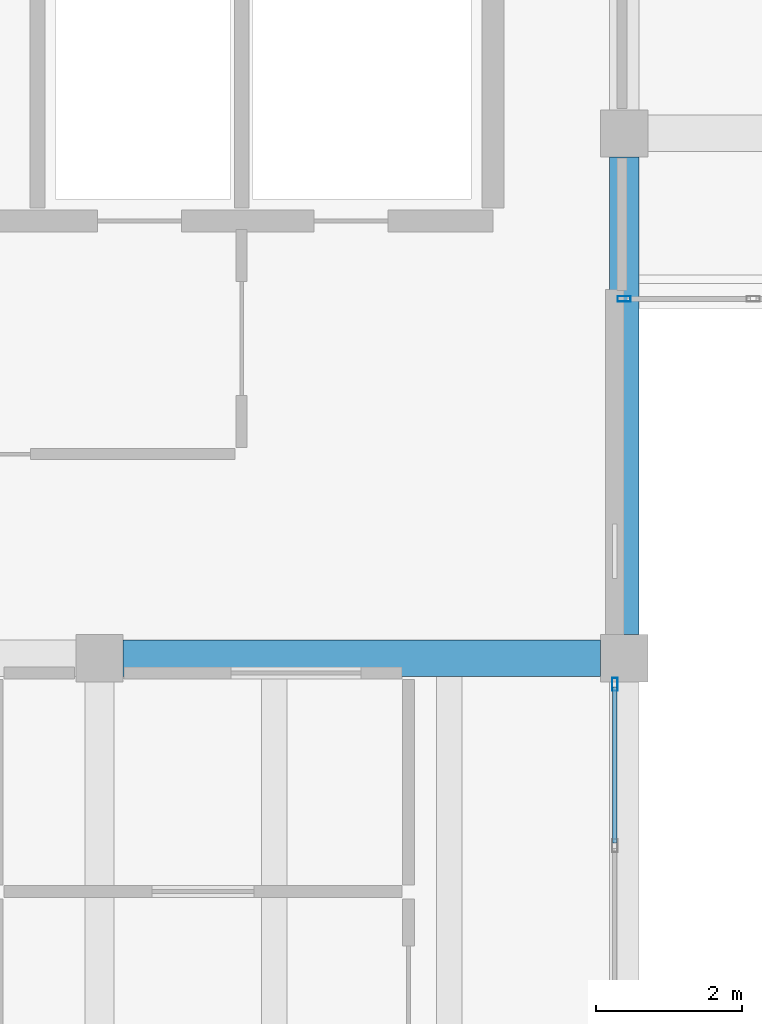
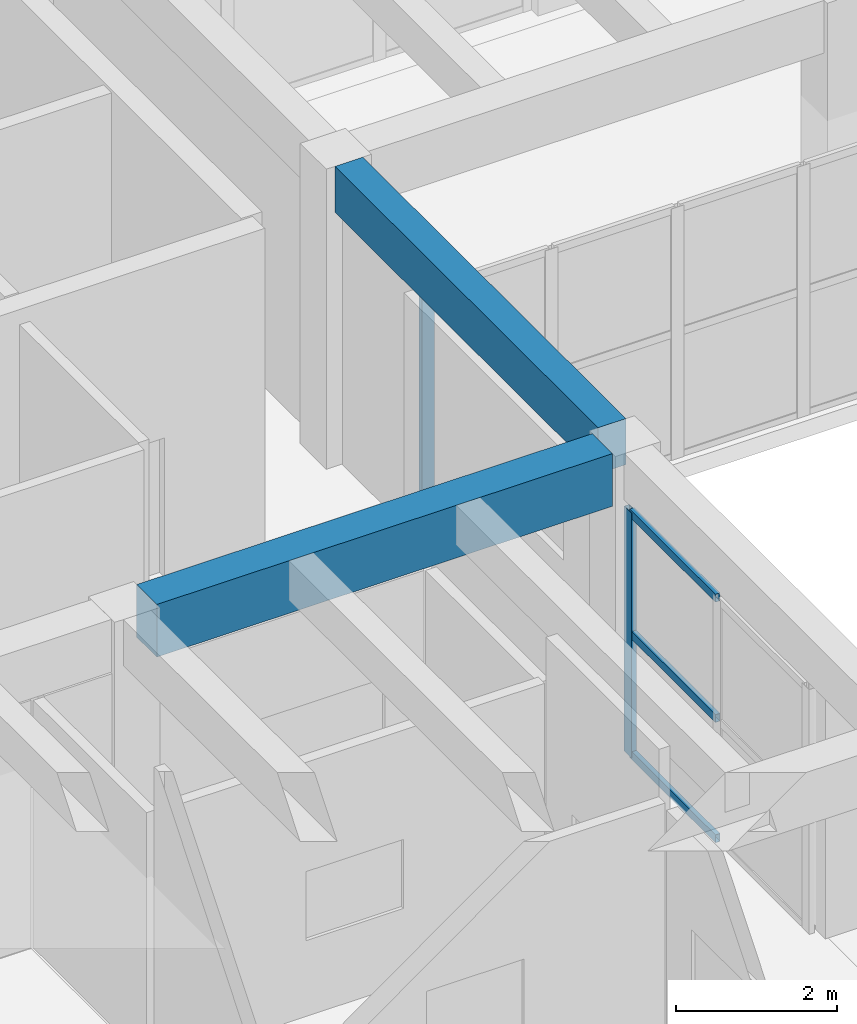
# One storey, part 73 of 155: 5 members, 2 beams, 2 elements without a shape of their own.
"""IFC4 building model written with IfcOpenShell, lengths in metres."""

from ifc_helpers import new_model, si_unit, direction, frame, origin, origin_2d, place, context, subcontext, project, spatial, rectangle, hollow_rectangle, extrude, material, material_profile, profile_set, type_object, element, aggregate, save


model = new_model("IFC4")

# Units and contexts
model_context = context("Model", 3, precision=1e-05, world=origin(), true_north=direction((0.0, 1.0)))
body_context = subcontext(model_context, "Body", "Model", "MODEL_VIEW")
ifc_project = project(units=[si_unit("LENGTHUNIT", "METRE"), si_unit("AREAUNIT", "SQUARE_METRE"), si_unit("VOLUMEUNIT", "CUBIC_METRE"), si_unit("PLANEANGLEUNIT", "RADIAN"), si_unit("MASSUNIT", "GRAM", prefix="KILO")], contexts=[model_context])

# Site, building, storey
site_placement = place(None, origin())
site = spatial("IfcSite", under=ifc_project, at=site_placement, CompositionType="ELEMENT")
building_placement = place(site_placement, origin())
building = spatial("IfcBuilding", under=site, at=building_placement, Name="Bramvelor Terrace Health Centre", CompositionType="ELEMENT")
storey_placement = place(building_placement, origin())
storey = spatial("IfcBuildingStorey", under=building, at=storey_placement, Name="L01", CompositionType="ELEMENT", Elevation=0.0)

# Beams
ifc_material_1 = material(Name="Concrete C40/50", Category="concrete")
ifc_material_profile_1 = material_profile(ifc_material_1, rectangle(XDim=0.39990234375, YDim=0.699951171875, at=origin_2d()), Name="RC 400x700")
ifc_profile_set_1 = profile_set([ifc_material_profile_1], Name="Concrete C40/50")
beam_type_1 = type_object("IfcBeamType", Name="BM-RC-G700", PredefinedType="BEAM", material=ifc_profile_set_1)
beam_1_placement = place(storey_placement, frame((14.39990234375, 101.125, 4.2099609375), z_axis=(0.0, 1.0, 0.0), x_axis=(-1.0, 0.0, 0.0)))
element("IfcBeam", 1, at=beam_1_placement, inside=storey, type_object=beam_type_1, Name="L01 Floor Girder", PredefinedType="BEAM", context=body_context, shape_type="SweptSolid", body=[
    extrude(rectangle(XDim=0.39990234375, YDim=0.699951171875, at=origin_2d()), origin(), (0.0, 0.0, 1.0), 6.550048828125),
])
ifc_material_2 = material(Name="Concrete C40/50", Category="concrete")
ifc_material_profile_2 = material_profile(ifc_material_2, rectangle(XDim=0.5, YDim=0.800048828125, at=origin_2d()), Name="RC 500x800")
ifc_profile_set_2 = profile_set([ifc_material_profile_2], Name="Concrete C40/50")
beam_type_2 = type_object("IfcBeamType", Name="BM-RC-G800", PredefinedType="BEAM", material=ifc_profile_set_2)
beam_2_placement = place(storey_placement, frame((7.52490234375, 100.800048828125, 4.159912109375), z_axis=(1.0, 0.0, 0.0), x_axis=(0.0, 1.0, 0.0)))
element("IfcBeam", 2, at=beam_2_placement, inside=storey, type_object=beam_type_2, Name="L01 Floor Girder", PredefinedType="BEAM", context=body_context, shape_type="SweptSolid", body=[
    extrude(rectangle(XDim=0.5, YDim=0.800048828125, at=origin_2d()), origin(), (0.0, 0.0, 1.0), 6.550048828125),
])

# Curtain wall, member
ifc_material_3 = material(Name="Anodized aluminium and double low-E glass", Category="aluminium")
curtain_wall_type_1 = type_object("IfcCurtainWallType", Name="CW-SYS-10", PredefinedType="NOTDEFINED", material=ifc_material_3)
curtain_wall_1_placement = place(storey_placement, origin())
curtain_wall_1 = element("IfcCurtainWall", 3, at=curtain_wall_1_placement, inside=storey, type_object=curtain_wall_type_1, Name="L01 Unitized Curtain Wall 68", PredefinedType="NOTDEFINED")
ifc_material_4 = material(Name="Anodized aluminium 6063-T6", Category="aluminium")
ifc_material_profile_3 = material_profile(ifc_material_4, hollow_rectangle(XDim=0.074951171875, YDim=0.179931640625, WallThickness=0.00341796875, at=origin_2d()), Name="ALU-MUL 75x180x3.5")
ifc_profile_set_3 = profile_set([ifc_material_profile_3], Name="Anodized aluminium 6063-T6")
member_type_1 = type_object("IfcMemberType", Name="CW-MUL-65x180", PredefinedType="MULLION", material=ifc_profile_set_3)
member_1_placement = place(storey_placement, frame((14.3974609375, 105.72998046875, 0.0), z_axis=(0.0, 0.0, 1.0), x_axis=(0.0, -1.0, 0.0)))
member_1 = element("IfcMember", 4, at=member_1_placement, type_object=member_type_1, Name="CW-10 mullion 5", PredefinedType="MULLION", context=body_context, shape_type="SweptSolid", body=[
    extrude(hollow_rectangle(XDim=0.074951171875, YDim=0.179931640625, WallThickness=0.00341796875, at=origin_2d()), origin(), (0.0, 0.0, 1.0), 3.820068359375),
])
aggregate(curtain_wall_1, [member_1])

# Curtain wall, members
ifc_material_5 = material(Name="Anodized aluminium and double low-E glass", Category="aluminium")
curtain_wall_type_2 = type_object("IfcCurtainWallType", Name="CW-SYS-11", PredefinedType="NOTDEFINED", material=ifc_material_5)
curtain_wall_2_placement = place(storey_placement, origin())
curtain_wall_2 = element("IfcCurtainWall", 5, at=curtain_wall_2_placement, inside=storey, type_object=curtain_wall_type_2, Name="L01 Unitized Curtain Wall 69", PredefinedType="NOTDEFINED")
member_2_placement = place(storey_placement, frame((14.27001953125, 100.4423828125, 0.0), z_axis=(0.0, 0.0, 1.0), x_axis=(1.0, 0.0, 0.0)))
member_2 = element("IfcMember", 6, at=member_2_placement, type_object=member_type_1, Name="CW-11 mullion 1", PredefinedType="MULLION", context=body_context, shape_type="SweptSolid", body=[
    extrude(hollow_rectangle(XDim=0.074951171875, YDim=0.179931640625, WallThickness=0.00341796875, at=origin_2d()), origin(), (0.0, 0.0, 1.0), 3.719970703125),
])
ifc_material_6 = material(Name="Anodized aluminium 6063-T6", Category="aluminium")
ifc_material_profile_4 = material_profile(ifc_material_6, hollow_rectangle(XDim=0.06494140625, YDim=0.1201171875, WallThickness=0.0029296875, at=origin_2d()), Name="ALU-TRN 65x120x3.0")
ifc_profile_set_4 = profile_set([ifc_material_profile_4], Name="Anodized aluminium 6063-T6")
member_type_2 = type_object("IfcMemberType", Name="CW-TRN-65x150", PredefinedType="USERDEFINED", material=ifc_profile_set_4)
member_3_placement = place(storey_placement, frame((14.27001953125, 100.405029296875, 0.032470703125), z_axis=(0.0, -1.0, 0.0), x_axis=(1.0, 0.0, 0.0)))
member_3 = element("IfcMember", 7, at=member_3_placement, type_object=member_type_2, Name="CW-11 transom 1.1", ObjectType="TRANSOM", PredefinedType="USERDEFINED", context=body_context, shape_type="SweptSolid", body=[
    extrude(hollow_rectangle(XDim=0.06494140625, YDim=0.1201171875, WallThickness=0.0029296875, at=origin_2d()), origin(), (0.0, 0.0, 1.0), 2.137451171875),
])
member_4_placement = place(storey_placement, frame((14.27001953125, 100.405029296875, 1.860107421875), z_axis=(0.0, -1.0, 0.0), x_axis=(1.0, 0.0, 0.0)))
member_4 = element("IfcMember", 8, at=member_4_placement, type_object=member_type_2, Name="CW-11 transom 1.2", ObjectType="TRANSOM", PredefinedType="USERDEFINED", context=body_context, shape_type="SweptSolid", body=[
    extrude(hollow_rectangle(XDim=0.06494140625, YDim=0.1201171875, WallThickness=0.0029296875, at=origin_2d()), origin(), (0.0, 0.0, 1.0), 2.137451171875),
])
member_5_placement = place(storey_placement, frame((14.27001953125, 100.405029296875, 3.6875), z_axis=(0.0, -1.0, 0.0), x_axis=(1.0, 0.0, 0.0)))
member_5 = element("IfcMember", 9, at=member_5_placement, type_object=member_type_2, Name="CW-11 transom 1.3", ObjectType="TRANSOM", PredefinedType="USERDEFINED", context=body_context, shape_type="SweptSolid", body=[
    extrude(hollow_rectangle(XDim=0.06494140625, YDim=0.1201171875, WallThickness=0.0029296875, at=origin_2d()), origin(), (0.0, 0.0, 1.0), 2.137451171875),
])
aggregate(curtain_wall_2, [member_2, member_3, member_4, member_5])

save(model, "model.ifc")
